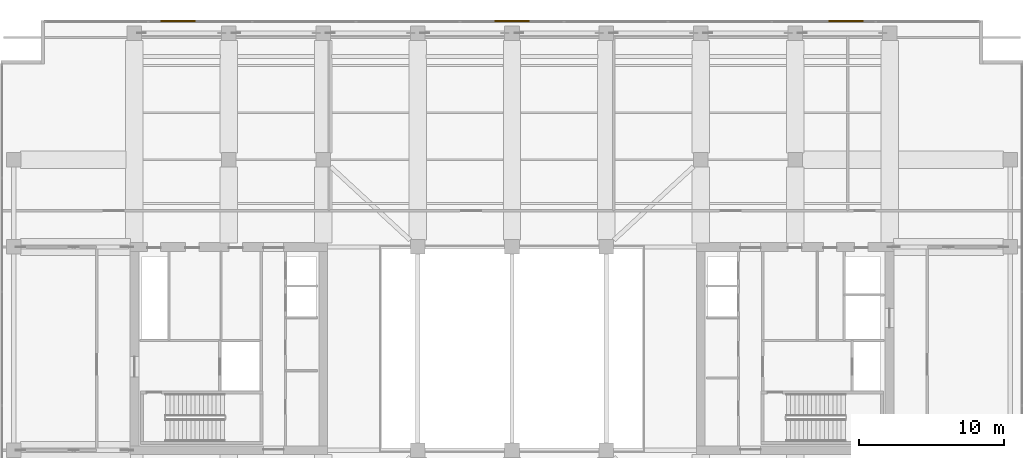
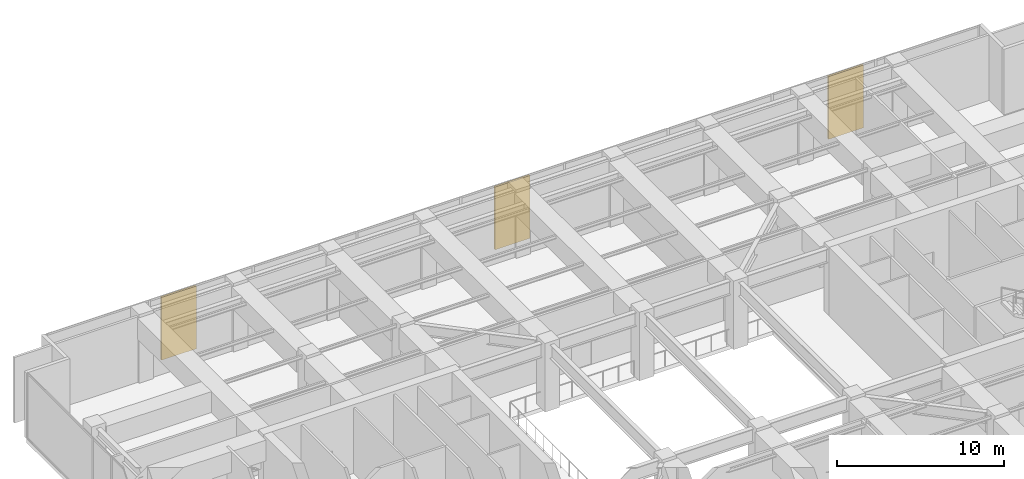
# One storey, part 28 of 28: 3 shading devices.
"""IFC4 building model written with IfcOpenShell, lengths in metres."""

from ifc_helpers import new_model, si_unit, direction, frame, origin, origin_2d, place, context, subcontext, project, spatial, rectangle, extrude, material, layer, layer_set, type_object, element, save


model = new_model("IFC4")

# Units and contexts
model_context = context("Model", 3, precision=1e-05, world=origin(), true_north=direction((0.0, 1.0)))
body_context = subcontext(model_context, "Body", "Model", "MODEL_VIEW")
ifc_project = project(units=[si_unit("LENGTHUNIT", "METRE"), si_unit("AREAUNIT", "SQUARE_METRE"), si_unit("VOLUMEUNIT", "CUBIC_METRE"), si_unit("PLANEANGLEUNIT", "RADIAN"), si_unit("MASSUNIT", "GRAM", prefix="KILO")], contexts=[model_context])

# Site, building, storey
site_placement = place(None, origin())
site = spatial("IfcSite", under=ifc_project, at=site_placement, CompositionType="ELEMENT")
building_placement = place(site_placement, origin())
building = spatial("IfcBuilding", under=site, at=building_placement, Name="Putna Gate Headquarters", CompositionType="ELEMENT")
storey_placement = place(building_placement, frame((0.0, 0.0, 197.39990234375)))
storey = spatial("IfcBuildingStorey", under=building, at=storey_placement, Name="L49", CompositionType="ELEMENT", Elevation=197.39990234375)

# Shading devices
ifc_material = material(Name="Anodised bronze acoustic weather louvre", Category="aluminium")
ifc_layer = layer(ifc_material, 0.1201171875)
ifc_layer_set = layer_set([ifc_layer], Name="Anodised bronze acoustic weather louvre")
shading_device_type = type_object("IfcShadingDeviceType", Name="SHADE-PLANT-LOUVRE", PredefinedType="JALOUSIE", material=ifc_layer_set)
for number, where, z_axis, x_axis, name in (
    (1, (16.0, 48.570068359375, 0.10009765625), (0.0, 0.0, 1.0), (1.0, 0.0, 0.0), "L49 Bronze Acoustic Louvre N1"),
    (2, (39.0, 48.570068359375, 0.10009765625), (0.0, 0.0, 1.0), (1.0, 0.0, 0.0), "L49 Bronze Acoustic Louvre N2"),
    (3, (62.0, 48.570068359375, 0.10009765625), (0.0, 0.0, 1.0), (1.0, 0.0, 0.0), "L49 Bronze Acoustic Louvre N3"),
):
    element("IfcShadingDevice", number, at=place(storey_placement, frame(where, z_axis=z_axis, x_axis=x_axis)), inside=storey, type_object=shading_device_type, Name=name, PredefinedType="JALOUSIE", context=body_context, shape_type="SweptSolid", body=[
        extrude(rectangle(XDim=2.39990234375, YDim=0.1201171875, at=origin_2d()), origin(), (0.0, 0.0, 1.0), 4.580078125),
    ])

save(model, "model.ifc")
